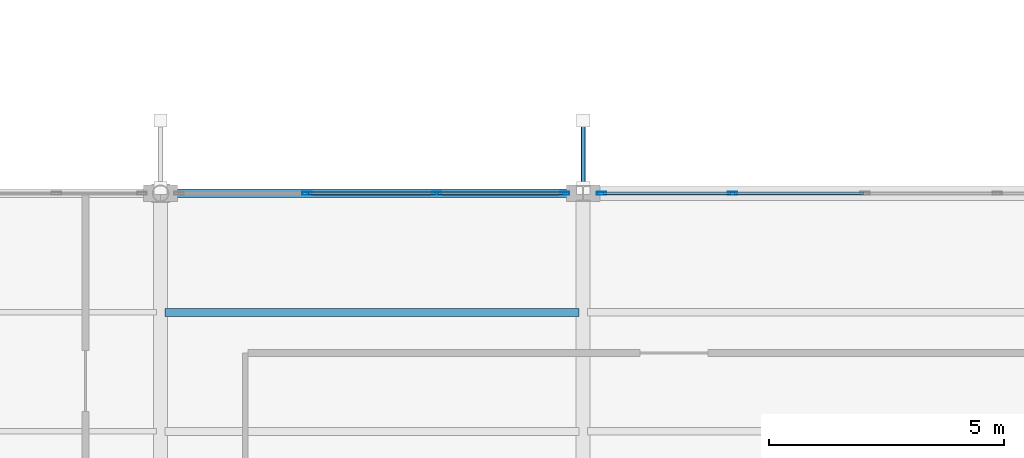
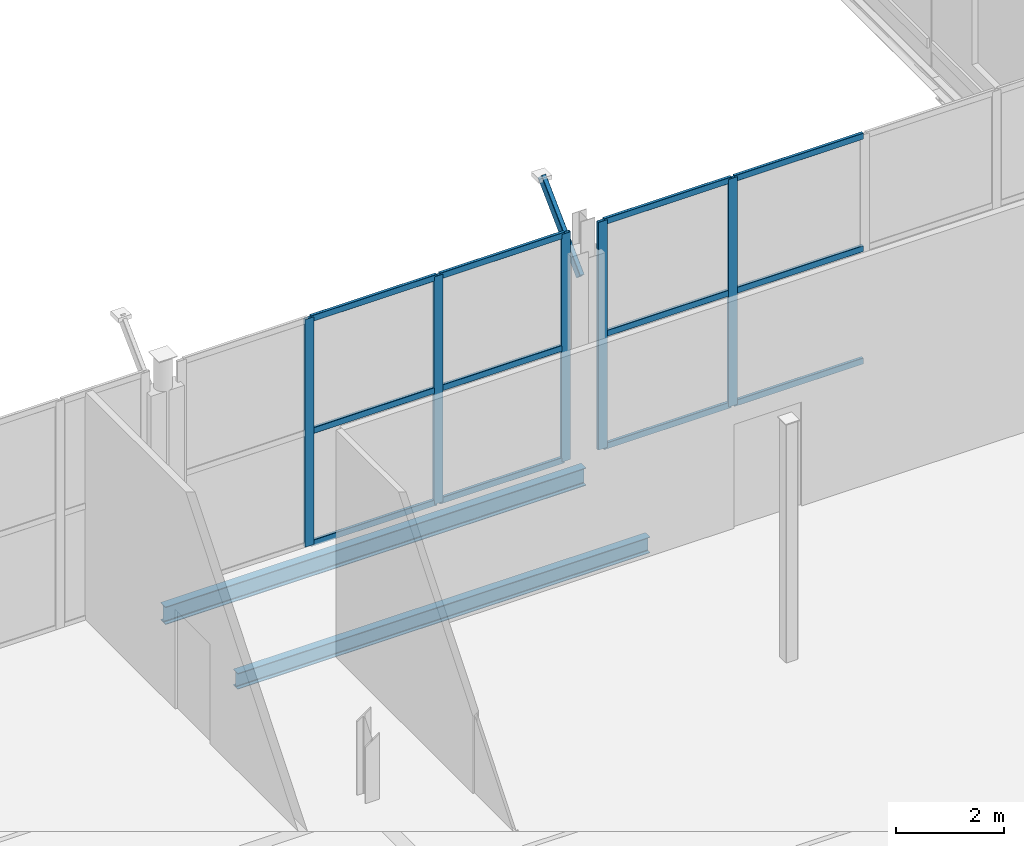
# One storey, part 78 of 147: 18 members, 2 beams, 2 elements without a shape of their own.
"""IFC4 building model written with IfcOpenShell, lengths in metres."""

from ifc_helpers import new_model, si_unit, direction, frame, origin, origin_2d, place, context, subcontext, project, spatial, hollow_rectangle, i_section, extrude, material, layer, layer_set, material_profile, profile_set, type_object, element, aggregate, save


model = new_model("IFC4")

# Units and contexts
model_context = context("Model", 3, precision=1e-05, world=origin(), true_north=direction((0.0, 1.0)))
body_context = subcontext(model_context, "Body", "Model", "MODEL_VIEW")
ifc_project = project(units=[si_unit("LENGTHUNIT", "METRE"), si_unit("AREAUNIT", "SQUARE_METRE"), si_unit("VOLUMEUNIT", "CUBIC_METRE"), si_unit("PLANEANGLEUNIT", "RADIAN"), si_unit("MASSUNIT", "GRAM", prefix="KILO")], contexts=[model_context])

# Site, building, storey
site_placement = place(None, origin())
site = spatial("IfcSite", under=ifc_project, at=site_placement, CompositionType="ELEMENT")
building_placement = place(site_placement, origin())
building = spatial("IfcBuilding", under=site, at=building_placement, Name="Vekula Escarpment Museum", CompositionType="ELEMENT")
storey_placement = place(building_placement, frame((0.0, 0.0, 7.800048828125)))
storey = spatial("IfcBuildingStorey", under=building, at=storey_placement, Name="L02", CompositionType="ELEMENT", Elevation=7.800048828125)

# Beams
ifc_material_1 = material(Name="Steel S355", Category="steel")
ifc_material_profile_1 = material_profile(ifc_material_1, i_section(OverallWidth=0.179931640625, OverallDepth=0.39990234375, WebThickness=0.008544921875, FlangeThickness=0.013427734375, FilletRadius=0.02099609375, at=origin_2d()), Name="IPE 400")
ifc_profile_set_1 = profile_set([ifc_material_profile_1], Name="Steel S355")
beam_type_1 = type_object("IfcBeamType", Name="BM-GIRD-IPE400", PredefinedType="BEAM", material=ifc_profile_set_1)
beam_1_placement = place(storey_placement, frame((146.0, 15.199951171875, -0.4599609375), z_axis=(1.0, 0.0, 0.0), x_axis=(0.0, 1.0, 0.0)))
element("IfcBeam", 1, at=beam_1_placement, inside=storey, type_object=beam_type_1, Name="Beam X L02 0823", PredefinedType="BEAM", context=body_context, shape_type="SweptSolid", body=[
    extrude(i_section(OverallWidth=0.179931640625, OverallDepth=0.39990234375, WebThickness=0.008544921875, FlangeThickness=0.013427734375, FilletRadius=0.02099609375, at=origin_2d()), origin(), (0.0, 0.0, 1.0), 9.0),
])
ifc_material_2 = material(Name="Steel S355", Category="steel")
ifc_material_profile_2 = material_profile(ifc_material_2, i_section(OverallWidth=0.169921875, OverallDepth=0.360107421875, WebThickness=0.008056640625, FlangeThickness=0.0126953125, FilletRadius=0.01806640625, at=origin_2d()), Name="IPE 360")
ifc_profile_set_2 = profile_set([ifc_material_profile_2], Name="Steel S355")
beam_type_2 = type_object("IfcBeamType", Name="BM-JST-IPE360", PredefinedType="JOIST", material=ifc_profile_set_2)
beam_2_placement = place(storey_placement, frame((146.090087890625, 12.666748046875, -0.43994140625), z_axis=(1.0, 0.0, 0.0), x_axis=(0.0, 1.0, 0.0)))
element("IfcBeam", 2, at=beam_2_placement, inside=storey, type_object=beam_type_2, Name="Secondary Joist L02 0832", PredefinedType="JOIST", context=body_context, shape_type="SweptSolid", body=[
    extrude(i_section(OverallWidth=0.169921875, OverallDepth=0.360107421875, WebThickness=0.008056640625, FlangeThickness=0.0126953125, FilletRadius=0.01806640625, at=origin_2d()), origin(), (0.0, 0.0, 1.0), 8.81982421875),
])

# Curtain wall, members
ifc_material_3 = material(Name="Aluminium thermally broken framing", Category="aluminium")
ifc_layer_1 = layer(ifc_material_3, 0.179931640625)
ifc_layer_set_1 = layer_set([ifc_layer_1], Name="Aluminium thermally broken framing")
curtain_wall_type_1 = type_object("IfcCurtainWallType", Name="CW-SYS-07", PredefinedType="NOTDEFINED", material=ifc_layer_set_1)
curtain_wall_1_placement = place(storey_placement, origin())
curtain_wall_1 = element("IfcCurtainWall", 3, at=curtain_wall_1_placement, inside=storey, type_object=curtain_wall_type_1, Name="Curtain Wall CW-L02-067", PredefinedType="NOTDEFINED")
ifc_material_4 = material(Name="Aluminium anodized mullion", Category="aluminium")
ifc_material_profile_3 = material_profile(ifc_material_4, hollow_rectangle(XDim=0.06494140625, YDim=0.199951171875, WallThickness=0.00390625, InnerFilletRadius=0.00390625, OuterFilletRadius=0.008056640625, at=origin_2d()), Name="ALU 200x65x4")
ifc_profile_set_3 = profile_set([ifc_material_profile_3], Name="Aluminium anodized mullion")
member_type_1 = type_object("IfcMemberType", Name="CW-MUL-200", PredefinedType="MULLION", material=ifc_profile_set_3)
member_1_placement = place(storey_placement, frame((158.179931640625, 15.199951171875, 0.0), z_axis=(0.0, 0.0, 1.0), x_axis=(0.0, -1.0, 0.0)))
member_1 = element("IfcMember", 4, at=member_1_placement, type_object=member_type_1, Name="CW-07 mullion 4", PredefinedType="MULLION", context=body_context, shape_type="SweptSolid", body=[
    extrude(hollow_rectangle(XDim=0.06494140625, YDim=0.199951171875, WallThickness=0.00390625, InnerFilletRadius=0.00390625, OuterFilletRadius=0.008056640625, at=origin_2d()), origin(), (0.0, 0.0, 1.0), 5.14990234375),
])
member_2_placement = place(storey_placement, frame((155.392578125, 15.199951171875, 0.0), z_axis=(0.0, 0.0, 1.0), x_axis=(0.0, -1.0, 0.0)))
member_2 = element("IfcMember", 5, at=member_2_placement, type_object=member_type_1, Name="CW-07 mullion 5", PredefinedType="MULLION", context=body_context, shape_type="SweptSolid", body=[
    extrude(hollow_rectangle(XDim=0.06494140625, YDim=0.199951171875, WallThickness=0.00390625, InnerFilletRadius=0.00390625, OuterFilletRadius=0.008056640625, at=origin_2d()), origin(), (0.0, 0.0, 1.0), 5.14990234375),
])

ifc_material_5 = material(Name="Aluminium thermally broken framing", Category="aluminium")
ifc_layer_2 = layer(ifc_material_5, 0.179931640625)
ifc_layer_set_2 = layer_set([ifc_layer_2], Name="Aluminium thermally broken framing")
curtain_wall_type_2 = type_object("IfcCurtainWallType", Name="CW-SYS-08", PredefinedType="NOTDEFINED", material=ifc_layer_set_2)
curtain_wall_2_placement = place(storey_placement, origin())
curtain_wall_2 = element("IfcCurtainWall", 6, at=curtain_wall_2_placement, inside=storey, type_object=curtain_wall_type_2, Name="Curtain Wall CW-L02-068", PredefinedType="NOTDEFINED")
member_3_placement = place(storey_placement, frame((154.607421875, 15.199951171875, 0.0), z_axis=(0.0, 0.0, 1.0), x_axis=(0.0, -1.0, 0.0)))
member_3 = element("IfcMember", 7, at=member_3_placement, type_object=member_type_1, Name="CW-08 mullion 1", PredefinedType="MULLION", context=body_context, shape_type="SweptSolid", body=[
    extrude(hollow_rectangle(XDim=0.06494140625, YDim=0.199951171875, WallThickness=0.00390625, InnerFilletRadius=0.00390625, OuterFilletRadius=0.008056640625, at=origin_2d()), origin(), (0.0, 0.0, 1.0), 5.14990234375),
])
member_4_placement = place(storey_placement, frame((151.8798828125, 15.199951171875, 0.0), z_axis=(0.0, 0.0, 1.0), x_axis=(0.0, -1.0, 0.0)))
member_4 = element("IfcMember", 8, at=member_4_placement, type_object=member_type_1, Name="CW-08 mullion 2", PredefinedType="MULLION", context=body_context, shape_type="SweptSolid", body=[
    extrude(hollow_rectangle(XDim=0.06494140625, YDim=0.199951171875, WallThickness=0.00390625, InnerFilletRadius=0.00390625, OuterFilletRadius=0.008056640625, at=origin_2d()), origin(), (0.0, 0.0, 1.0), 5.14990234375),
])
member_5_placement = place(storey_placement, frame((149.1201171875, 15.199951171875, 0.0), z_axis=(0.0, 0.0, 1.0), x_axis=(0.0, -1.0, 0.0)))
member_5 = element("IfcMember", 9, at=member_5_placement, type_object=member_type_1, Name="CW-08 mullion 3", PredefinedType="MULLION", context=body_context, shape_type="SweptSolid", body=[
    extrude(hollow_rectangle(XDim=0.06494140625, YDim=0.199951171875, WallThickness=0.00390625, InnerFilletRadius=0.00390625, OuterFilletRadius=0.008056640625, at=origin_2d()), origin(), (0.0, 0.0, 1.0), 5.14990234375),
])

# Member
ifc_material_6 = material(Name="Aluminium anodized transom", Category="aluminium")
ifc_material_profile_4 = material_profile(ifc_material_6, hollow_rectangle(XDim=0.06494140625, YDim=0.139892578125, WallThickness=0.00390625, InnerFilletRadius=0.00390625, OuterFilletRadius=0.008056640625, at=origin_2d()), Name="ALU 140x65x4")
ifc_profile_set_4 = profile_set([ifc_material_profile_4], Name="Aluminium anodized transom")
member_type_2 = type_object("IfcMemberType", Name="CW-TRN-140", PredefinedType="USERDEFINED", material=ifc_profile_set_4)
member_6_placement = place(storey_placement, frame((160.967529296875, 15.199951171875, 0.032470703125), z_axis=(-1.0, 0.0, 0.0), x_axis=(0.0, -1.0, 0.0)))
member_6 = element("IfcMember", 10, at=member_6_placement, type_object=member_type_2, Name="CW-07 transom 3.1", ObjectType="TRANSOM", PredefinedType="USERDEFINED", context=body_context, shape_type="SweptSolid", body=[
    extrude(hollow_rectangle(XDim=0.06494140625, YDim=0.139892578125, WallThickness=0.00390625, InnerFilletRadius=0.00390625, OuterFilletRadius=0.008056640625, at=origin_2d()), origin(), (0.0, 0.0, 1.0), 2.755126953125),
])

member_7_placement = place(storey_placement, frame((160.967529296875, 15.199951171875, 2.574951171875), z_axis=(-1.0, 0.0, 0.0), x_axis=(0.0, -1.0, 0.0)))
member_7 = element("IfcMember", 11, at=member_7_placement, type_object=member_type_2, Name="CW-07 transom 3.2", ObjectType="TRANSOM", PredefinedType="USERDEFINED", context=body_context, shape_type="SweptSolid", body=[
    extrude(hollow_rectangle(XDim=0.06494140625, YDim=0.139892578125, WallThickness=0.00390625, InnerFilletRadius=0.00390625, OuterFilletRadius=0.008056640625, at=origin_2d()), origin(), (0.0, 0.0, 1.0), 2.755126953125),
])

member_8_placement = place(storey_placement, frame((160.967529296875, 15.199951171875, 5.117431640625), z_axis=(-1.0, 0.0, 0.0), x_axis=(0.0, -1.0, 0.0)))
member_8 = element("IfcMember", 12, at=member_8_placement, type_object=member_type_2, Name="CW-07 transom 3.3", ObjectType="TRANSOM", PredefinedType="USERDEFINED", context=body_context, shape_type="SweptSolid", body=[
    extrude(hollow_rectangle(XDim=0.06494140625, YDim=0.139892578125, WallThickness=0.00390625, InnerFilletRadius=0.00390625, OuterFilletRadius=0.008056640625, at=origin_2d()), origin(), (0.0, 0.0, 1.0), 2.755126953125),
])

member_9_placement = place(storey_placement, frame((158.1474609375, 15.199951171875, 0.032470703125), z_axis=(-1.0, 0.0, 0.0), x_axis=(0.0, -1.0, 0.0)))
member_9 = element("IfcMember", 13, at=member_9_placement, type_object=member_type_2, Name="CW-07 transom 4.1", ObjectType="TRANSOM", PredefinedType="USERDEFINED", context=body_context, shape_type="SweptSolid", body=[
    extrude(hollow_rectangle(XDim=0.06494140625, YDim=0.139892578125, WallThickness=0.00390625, InnerFilletRadius=0.00390625, OuterFilletRadius=0.008056640625, at=origin_2d()), origin(), (0.0, 0.0, 1.0), 2.722412109375),
])

member_10_placement = place(storey_placement, frame((158.1474609375, 15.199951171875, 2.574951171875), z_axis=(-1.0, 0.0, 0.0), x_axis=(0.0, -1.0, 0.0)))
member_10 = element("IfcMember", 14, at=member_10_placement, type_object=member_type_2, Name="CW-07 transom 4.2", ObjectType="TRANSOM", PredefinedType="USERDEFINED", context=body_context, shape_type="SweptSolid", body=[
    extrude(hollow_rectangle(XDim=0.06494140625, YDim=0.139892578125, WallThickness=0.00390625, InnerFilletRadius=0.00390625, OuterFilletRadius=0.008056640625, at=origin_2d()), origin(), (0.0, 0.0, 1.0), 2.722412109375),
])

member_11_placement = place(storey_placement, frame((158.1474609375, 15.199951171875, 5.117431640625), z_axis=(-1.0, 0.0, 0.0), x_axis=(0.0, -1.0, 0.0)))
member_11 = element("IfcMember", 15, at=member_11_placement, type_object=member_type_2, Name="CW-07 transom 4.3", ObjectType="TRANSOM", PredefinedType="USERDEFINED", context=body_context, shape_type="SweptSolid", body=[
    extrude(hollow_rectangle(XDim=0.06494140625, YDim=0.139892578125, WallThickness=0.00390625, InnerFilletRadius=0.00390625, OuterFilletRadius=0.008056640625, at=origin_2d()), origin(), (0.0, 0.0, 1.0), 2.722412109375),
])

aggregate(curtain_wall_1, [member_1, member_2, member_6, member_7, member_8, member_9, member_10, member_11])

member_12_placement = place(storey_placement, frame((154.574951171875, 15.199951171875, 0.032470703125), z_axis=(-1.0, 0.0, 0.0), x_axis=(0.0, -1.0, 0.0)))
member_12 = element("IfcMember", 16, at=member_12_placement, type_object=member_type_2, Name="CW-08 transom 1.1", ObjectType="TRANSOM", PredefinedType="USERDEFINED", context=body_context, shape_type="SweptSolid", body=[
    extrude(hollow_rectangle(XDim=0.06494140625, YDim=0.139892578125, WallThickness=0.00390625, InnerFilletRadius=0.00390625, OuterFilletRadius=0.008056640625, at=origin_2d()), origin(), (0.0, 0.0, 1.0), 2.662353515625),
])

member_13_placement = place(storey_placement, frame((154.574951171875, 15.199951171875, 2.574951171875), z_axis=(-1.0, 0.0, 0.0), x_axis=(0.0, -1.0, 0.0)))
member_13 = element("IfcMember", 17, at=member_13_placement, type_object=member_type_2, Name="CW-08 transom 1.2", ObjectType="TRANSOM", PredefinedType="USERDEFINED", context=body_context, shape_type="SweptSolid", body=[
    extrude(hollow_rectangle(XDim=0.06494140625, YDim=0.139892578125, WallThickness=0.00390625, InnerFilletRadius=0.00390625, OuterFilletRadius=0.008056640625, at=origin_2d()), origin(), (0.0, 0.0, 1.0), 2.662353515625),
])

member_14_placement = place(storey_placement, frame((154.574951171875, 15.199951171875, 5.117431640625), z_axis=(-1.0, 0.0, 0.0), x_axis=(0.0, -1.0, 0.0)))
member_14 = element("IfcMember", 18, at=member_14_placement, type_object=member_type_2, Name="CW-08 transom 1.3", ObjectType="TRANSOM", PredefinedType="USERDEFINED", context=body_context, shape_type="SweptSolid", body=[
    extrude(hollow_rectangle(XDim=0.06494140625, YDim=0.139892578125, WallThickness=0.00390625, InnerFilletRadius=0.00390625, OuterFilletRadius=0.008056640625, at=origin_2d()), origin(), (0.0, 0.0, 1.0), 2.662353515625),
])

member_15_placement = place(storey_placement, frame((151.847412109375, 15.199951171875, 0.032470703125), z_axis=(-1.0, 0.0, 0.0), x_axis=(0.0, -1.0, 0.0)))
member_15 = element("IfcMember", 19, at=member_15_placement, type_object=member_type_2, Name="CW-08 transom 2.1", ObjectType="TRANSOM", PredefinedType="USERDEFINED", context=body_context, shape_type="SweptSolid", body=[
    extrude(hollow_rectangle(XDim=0.06494140625, YDim=0.139892578125, WallThickness=0.00390625, InnerFilletRadius=0.00390625, OuterFilletRadius=0.008056640625, at=origin_2d()), origin(), (0.0, 0.0, 1.0), 2.69482421875),
])

member_16_placement = place(storey_placement, frame((151.847412109375, 15.199951171875, 2.574951171875), z_axis=(-1.0, 0.0, 0.0), x_axis=(0.0, -1.0, 0.0)))
member_16 = element("IfcMember", 20, at=member_16_placement, type_object=member_type_2, Name="CW-08 transom 2.2", ObjectType="TRANSOM", PredefinedType="USERDEFINED", context=body_context, shape_type="SweptSolid", body=[
    extrude(hollow_rectangle(XDim=0.06494140625, YDim=0.139892578125, WallThickness=0.00390625, InnerFilletRadius=0.00390625, OuterFilletRadius=0.008056640625, at=origin_2d()), origin(), (0.0, 0.0, 1.0), 2.69482421875),
])

member_17_placement = place(storey_placement, frame((151.847412109375, 15.199951171875, 5.117431640625), z_axis=(-1.0, 0.0, 0.0), x_axis=(0.0, -1.0, 0.0)))
member_17 = element("IfcMember", 21, at=member_17_placement, type_object=member_type_2, Name="CW-08 transom 2.3", ObjectType="TRANSOM", PredefinedType="USERDEFINED", context=body_context, shape_type="SweptSolid", body=[
    extrude(hollow_rectangle(XDim=0.06494140625, YDim=0.139892578125, WallThickness=0.00390625, InnerFilletRadius=0.00390625, OuterFilletRadius=0.008056640625, at=origin_2d()), origin(), (0.0, 0.0, 1.0), 2.69482421875),
])

aggregate(curtain_wall_2, [member_3, member_4, member_5, member_12, member_13, member_14, member_15, member_16, member_17])

ifc_material_7 = material(Name="Steel S355", Category="steel")
ifc_material_profile_5 = material_profile(ifc_material_7, hollow_rectangle(XDim=0.10009765625, YDim=0.199951171875, WallThickness=0.008056640625, InnerFilletRadius=0.008056640625, OuterFilletRadius=0.01611328125, at=origin_2d()), Name="RHS 200x100x8")
ifc_profile_set_5 = profile_set([ifc_material_profile_5], Name="Steel S355")
member_type_3 = type_object("IfcMemberType", Name="MB-SACAK-BRK", PredefinedType="STRUT", material=ifc_profile_set_5)
member_18_placement = place(storey_placement, frame((155.0, 15.320068359375, 3.949951171875), z_axis=(0.0, 0.714570141171, 0.699563802198), x_axis=(-1.0, 0.0, 0.0)))
element("IfcMember", 22, at=member_18_placement, inside=storey, type_object=member_type_3, Name="Ottoman Sacak Eave Bracket Z9-0146", PredefinedType="STRUT", context=body_context, shape_type="SweptSolid", body=[
    extrude(hollow_rectangle(XDim=0.10009765625, YDim=0.199951171875, WallThickness=0.008056640625, InnerFilletRadius=0.008056640625, OuterFilletRadius=0.01611328125, at=origin_2d()), origin(), (0.0, 0.0, 1.0), 2.001220703125),
])

save(model, "model.ifc")
